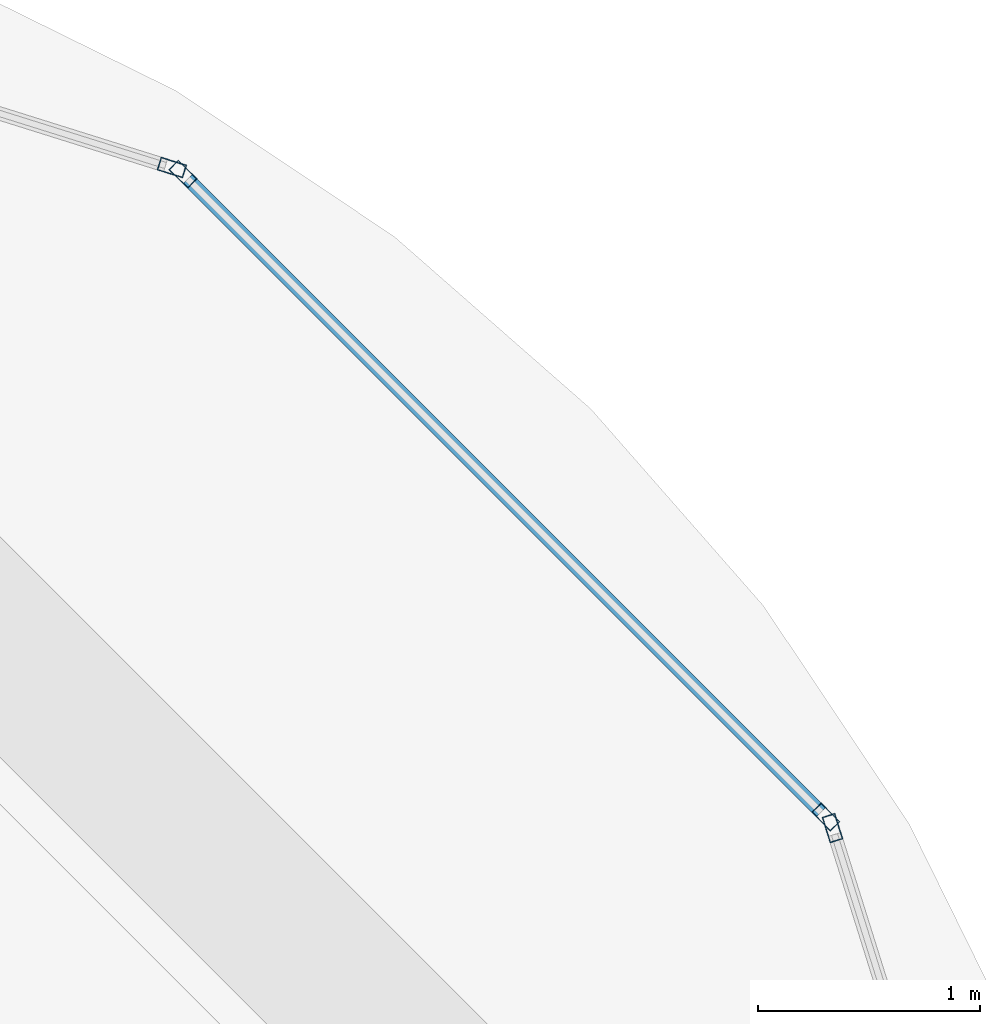
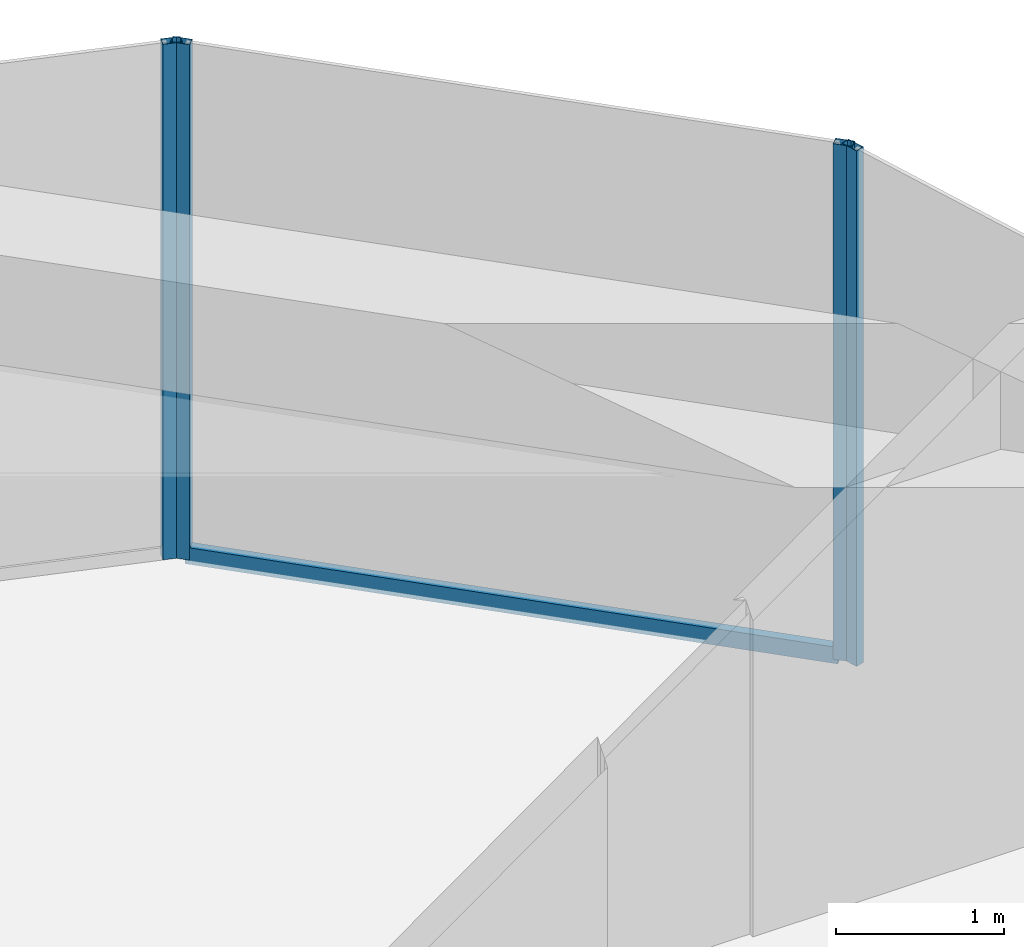
# One storey, part 39 of 44: 5 members, 3 elements without a shape of their own.
"""IFC4 building model written with IfcOpenShell, lengths in metres."""

from ifc_helpers import new_model, si_unit, direction, frame, origin, origin_2d, place, context, subcontext, project, spatial, hollow_rectangle, extrude, material, material_profile, profile_set, type_object, element, aggregate, save


model = new_model("IFC4")

# Units and contexts
model_context = context("Model", 3, precision=1e-05, world=origin(), true_north=direction((0.0, 1.0)))
body_context = subcontext(model_context, "Body", "Model", "MODEL_VIEW")
ifc_project = project(units=[si_unit("LENGTHUNIT", "METRE"), si_unit("AREAUNIT", "SQUARE_METRE"), si_unit("VOLUMEUNIT", "CUBIC_METRE"), si_unit("PLANEANGLEUNIT", "RADIAN"), si_unit("MASSUNIT", "GRAM", prefix="KILO")], contexts=[model_context])

# Site, building, storey
site_placement = place(None, origin())
site = spatial("IfcSite", under=ifc_project, at=site_placement, CompositionType="ELEMENT")
building_placement = place(site_placement, origin())
building = spatial("IfcBuilding", under=site, at=building_placement, Name="Zorevar Civic Tower", CompositionType="ELEMENT")
storey_placement = place(building_placement, frame((0.0, 0.0, 255.39990234375)))
storey = spatial("IfcBuildingStorey", under=building, at=storey_placement, Name="L62", CompositionType="ELEMENT", Elevation=255.39990234375)

# Curtain wall, member
ifc_material_1 = material(Name="Dark grey solar-control glass in black aluminium frame", Category="aluminium")
curtain_wall_type = type_object("IfcCurtainWallType", Name="Curtain wall CW5 top zone", PredefinedType="NOTDEFINED", material=ifc_material_1)
curtain_wall_1_placement = place(storey_placement, origin())
curtain_wall_1 = element("IfcCurtainWall", 1, at=curtain_wall_1_placement, inside=storey, type_object=curtain_wall_type, Name="CW5 L62", PredefinedType="NOTDEFINED")
ifc_material_2 = material(Name="Aluminium, black anodised", Category="aluminium")
ifc_material_profile_1 = material_profile(ifc_material_2, hollow_rectangle(XDim=0.06005859375, YDim=0.1201171875, WallThickness=0.0029296875, at=origin_2d()), Name="AL 120x60x3")
ifc_profile_set_1 = profile_set([ifc_material_profile_1], Name="Aluminium, black anodised")
member_type_1 = type_object("IfcMemberType", Name="CW5 mullion AL 120x60x3", PredefinedType="MULLION", material=ifc_profile_set_1)
member_1_placement = place(storey_placement, frame((52.449951171875, 40.479248046875, 0.0), z_axis=(0.0, 0.0, 1.0), x_axis=(-0.954153437674, -0.299317920238, 0.0)))
member_1 = element("IfcMember", 2, at=member_1_placement, type_object=member_type_1, Name="CW5 mullion 2", PredefinedType="MULLION", context=body_context, shape_type="SweptSolid", body=[
    extrude(hollow_rectangle(XDim=0.06005859375, YDim=0.1201171875, WallThickness=0.0029296875, at=origin_2d()), origin(), (0.0, 0.0, 1.0), 3.75),
])
aggregate(curtain_wall_1, [member_1])

# Curtain wall, members
curtain_wall_2_placement = place(storey_placement, origin())
curtain_wall_2 = element("IfcCurtainWall", 3, at=curtain_wall_2_placement, inside=storey, type_object=curtain_wall_type, Name="CW5 L62", PredefinedType="NOTDEFINED")
member_2_placement = place(storey_placement, frame((52.419677734375, 40.529052734375, 0.0), z_axis=(0.0, 0.0, 1.0), x_axis=(-0.707106781187, -0.707106781187, 0.0)))
member_2 = element("IfcMember", 4, at=member_2_placement, type_object=member_type_1, Name="CW5 mullion 1", PredefinedType="MULLION", context=body_context, shape_type="SweptSolid", body=[
    extrude(hollow_rectangle(XDim=0.06005859375, YDim=0.1201171875, WallThickness=0.0029296875, at=origin_2d()), origin(), (0.0, 0.0, 1.0), 3.75),
])
member_3_placement = place(storey_placement, frame((49.529052734375, 43.419677734375, 0.0), z_axis=(0.0, 0.0, 1.0), x_axis=(-0.707106781187, -0.707106781187, 0.0)))
member_3 = element("IfcMember", 5, at=member_3_placement, type_object=member_type_1, Name="CW5 mullion 2", PredefinedType="MULLION", context=body_context, shape_type="SweptSolid", body=[
    extrude(hollow_rectangle(XDim=0.06005859375, YDim=0.1201171875, WallThickness=0.0029296875, at=origin_2d()), origin(), (0.0, 0.0, 1.0), 3.75),
])

# Curtain wall, member
curtain_wall_3_placement = place(storey_placement, origin())
curtain_wall_3 = element("IfcCurtainWall", 6, at=curtain_wall_3_placement, inside=storey, type_object=curtain_wall_type, Name="CW5 L62", PredefinedType="NOTDEFINED")
member_4_placement = place(storey_placement, frame((49.479248046875, 43.449951171875, 0.0), z_axis=(0.0, 0.0, 1.0), x_axis=(-0.299317920238, -0.954153437674, 0.0)))
member_4 = element("IfcMember", 7, at=member_4_placement, type_object=member_type_1, Name="CW5 mullion 1", PredefinedType="MULLION", context=body_context, shape_type="SweptSolid", body=[
    extrude(hollow_rectangle(XDim=0.06005859375, YDim=0.1201171875, WallThickness=0.0029296875, at=origin_2d()), origin(), (0.0, 0.0, 1.0), 3.75),
])
aggregate(curtain_wall_3, [member_4])

# Member
ifc_material_3 = material(Name="Aluminium, black anodised", Category="aluminium")
ifc_material_profile_2 = material_profile(ifc_material_3, hollow_rectangle(XDim=0.06005859375, YDim=0.1201171875, WallThickness=0.0029296875, at=origin_2d()), Name="AL 120x60x3")
ifc_profile_set_2 = profile_set([ifc_material_profile_2], Name="Aluminium, black anodised")
member_type_2 = type_object("IfcMemberType", Name="CW5 transom AL 120x60x3", PredefinedType="USERDEFINED", material=ifc_profile_set_2)
member_5_placement = place(storey_placement, frame((52.3984375, 40.55029296875, 0.030029296875), z_axis=(-0.707106781187, 0.707106781187, 0.0), x_axis=(-0.707106781187, -0.707106781187, 0.0)))
member_5 = element("IfcMember", 8, at=member_5_placement, type_object=member_type_2, Name="CW5 sill transom", ObjectType="TRANSOM", PredefinedType="USERDEFINED", context=body_context, shape_type="SweptSolid", body=[
    extrude(hollow_rectangle(XDim=0.06005859375, YDim=0.1201171875, WallThickness=0.0029296875, at=origin_2d()), origin(), (0.0, 0.0, 1.0), 4.02783203125),
])

aggregate(curtain_wall_2, [member_2, member_3, member_5])

save(model, "model.ifc")
